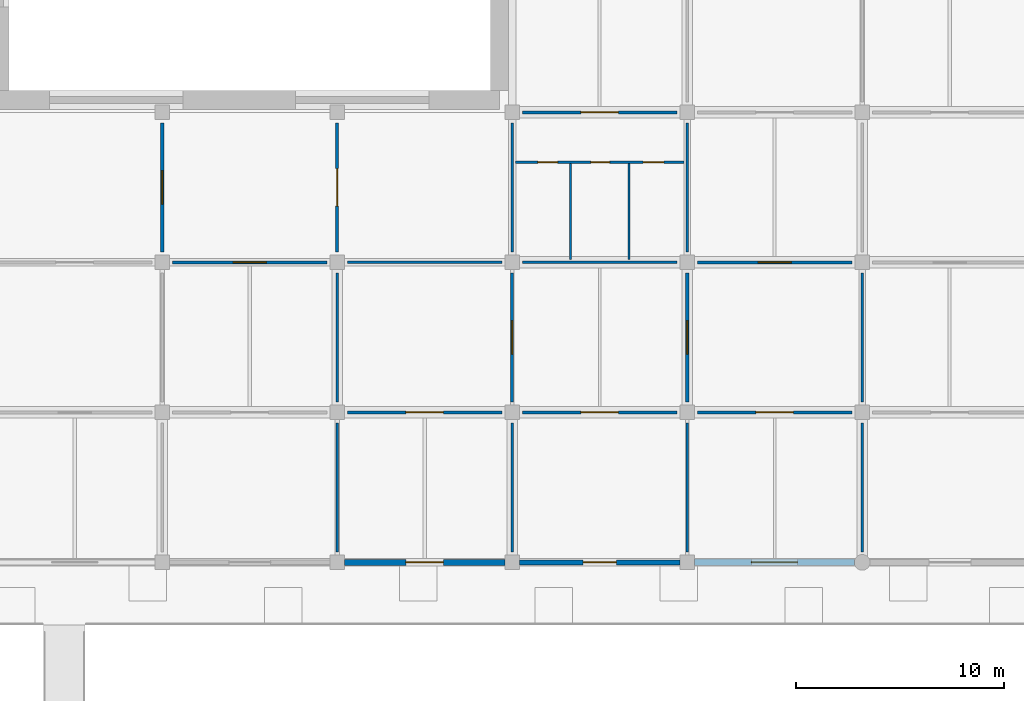
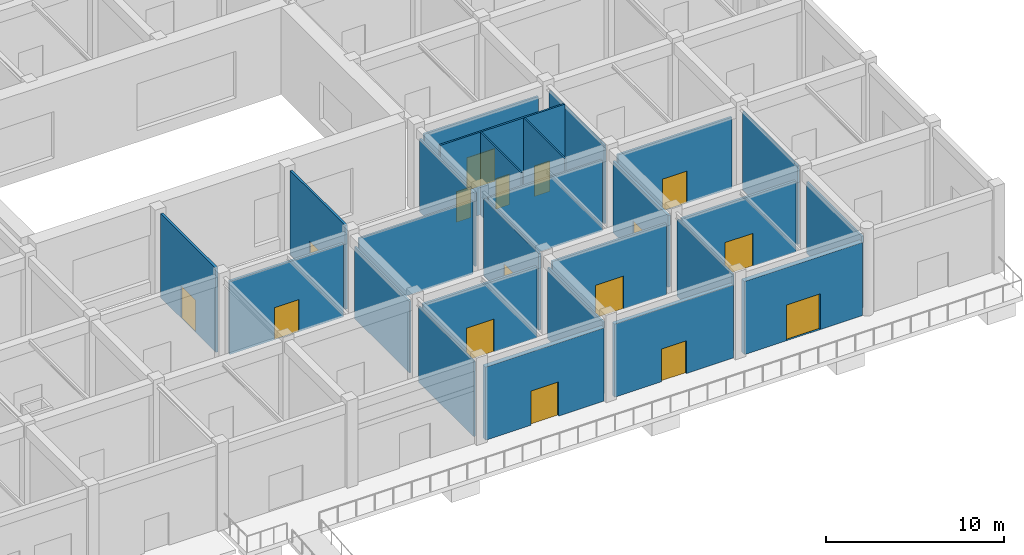
# One storey, part 13 of 39: 26 walls, 16 doors, 16 openings.
"""IFC4 building model written with IfcOpenShell, lengths in metres."""

from ifc_helpers import new_model, si_unit, derived_unit, direction, frame, frame_2d, origin, place, context, subcontext, project, spatial, rectangle, extrude, material, layer, layer_set, type_object, element, fill, save


model = new_model("IFC4")

# Units and contexts
model_context = context("Model", 3, precision=1e-05, world=origin(), true_north=direction((0.0, 1.0)))
body_context = subcontext(model_context, "Body", "Model", "MODEL_VIEW")
ifc_project = project(units=[si_unit("LENGTHUNIT", "METRE"), si_unit("AREAUNIT", "SQUARE_METRE"), si_unit("VOLUMEUNIT", "CUBIC_METRE"), si_unit("PLANEANGLEUNIT", "RADIAN"), si_unit("MASSUNIT", "GRAM", prefix="KILO"), derived_unit("THERMALTRANSMITTANCEUNIT", [(si_unit("MASSUNIT", "GRAM", prefix="KILO"), 1), (si_unit("TIMEUNIT", "SECOND"), -3), (si_unit("THERMODYNAMICTEMPERATUREUNIT", "KELVIN"), -1)])], contexts=[model_context])

# Site, building, storey
site_placement = place(None, origin())
site = spatial("IfcSite", under=ifc_project, at=site_placement, CompositionType="ELEMENT")
building_placement = place(site_placement, origin())
building = spatial("IfcBuilding", under=site, at=building_placement, Name="Veldstrom Oceanarium and Marine Research Institute", CompositionType="ELEMENT")
storey_placement = place(building_placement, origin())
storey = spatial("IfcBuildingStorey", under=building, at=storey_placement, Name="L00", CompositionType="ELEMENT", Elevation=0.0)

# Wall, opening, door
ifc_material_1 = material(Name="Masonry Cavity Wall", Category="masonry")
ifc_layer_1 = layer(ifc_material_1, 0.31005859375)
ifc_layer_set_1 = layer_set([ifc_layer_1], Name="ARC-WAL-EW1")
wall_type_1 = type_object("IfcWallType", Name="ARC-WAL-EW1", PredefinedType="SOLIDWALL", material=ifc_layer_set_1)
wall_1_placement = place(storey_placement, frame((50.75, 0.0, 0.0), z_axis=(0.0, 0.0, 1.0), x_axis=(1.0, 0.0, 0.0)))
wall_1 = element("IfcWall", 1, at=wall_1_placement, inside=storey, type_object=wall_type_1, Name="Exterior Facade Wall EW1 L00-023", PredefinedType="SOLIDWALL", context=body_context, shape_type="SweptSolid", body=[
    extrude(rectangle(XDim=7.675048828125, YDim=0.31005859375, at=frame_2d((3.83740234375, 0.0))), origin(), (0.0, 0.0, 1.0), 5.02001953125),
])
opening_1_placement = place(wall_1_placement, frame((2.737548828125, 0.0, 0.0)))
opening_1 = element("IfcOpeningElement", 2, at=opening_1_placement, cuts=wall_1, Name="Opening D-L00-010", PredefinedType="OPENING", context=body_context, shape_type="SweptSolid", body=[
    extrude(rectangle(XDim=2.199951171875, YDim=2.449951171875, at=frame_2d((1.10009765625, 1.22509765625))), frame((0.0, 0.1650390625, 0.0), z_axis=(0.0, -1.0, 0.0), x_axis=(1.0, 0.0, 0.0)), (0.0, 0.0, 1.0), 0.330078125),
])
ifc_material_2 = material(Name="Anodised Aluminium Main Entrance Door", Category="aluminium")
door_type_1 = type_object("IfcDoorType", Name="ARC-DOR-ED6", OperationType="DOUBLE_DOOR_SINGLE_SWING", PredefinedType="DOOR", material=ifc_material_2)
door_1_placement = place(opening_1_placement, frame((2.199951171875, 0.0, 0.0), z_axis=(0.0, 0.0, 1.0), x_axis=(-1.0, 0.0, 0.0)))
door_1 = element("IfcDoor", 3, at=door_1_placement, inside=storey, type_object=door_type_1, Name="Street Entrance / Exit Door D-L00-010", OperationType="DOUBLE_DOOR_SINGLE_SWING", OverallHeight=2.449951171875, OverallWidth=2.199951171875, PredefinedType="DOOR", context=body_context, shape_type="SweptSolid", body=[
    extrude(rectangle(XDim=2.199951171875, YDim=2.449951171875, at=frame_2d((1.10009765625, 1.22509765625))), frame((0.0, 0.02490234375, 0.0), z_axis=(0.0, -1.0, 0.0), x_axis=(1.0, 0.0, 0.0)), (0.0, 0.0, 1.0), 0.050048828125),
])
fill(opening_1, door_1)

ifc_material_3 = material(Name="Masonry Cavity Wall", Category="masonry")
ifc_layer_2 = layer(ifc_material_3, 0.2900390625)
ifc_layer_set_2 = layer_set([ifc_layer_2], Name="ARC-WAL-EW2")
wall_type_2 = type_object("IfcWallType", Name="ARC-WAL-EW2", PredefinedType="SOLIDWALL", material=ifc_layer_set_2)
wall_2_placement = place(storey_placement, frame((33.949951171875, 0.0, 0.0), z_axis=(0.0, 0.0, 1.0), x_axis=(1.0, 0.0, 0.0)))
wall_2 = element("IfcWall", 4, at=wall_2_placement, inside=storey, type_object=wall_type_2, Name="Exterior Facade Wall EW2 L00-019", PredefinedType="SOLIDWALL", context=body_context, shape_type="SweptSolid", body=[
    extrude(rectangle(XDim=7.699951171875, YDim=0.2900390625, at=frame_2d((3.85009765625, 0.0))), origin(), (0.0, 0.0, 1.0), 5.02001953125),
])
opening_2_placement = place(wall_2_placement, frame((2.949951171875, 0.0, 0.0)))
opening_2 = element("IfcOpeningElement", 5, at=opening_2_placement, cuts=wall_2, Name="Opening D-L00-008", PredefinedType="OPENING", context=body_context, shape_type="SweptSolid", body=[
    extrude(rectangle(XDim=1.800048828125, YDim=2.35009765625, at=frame_2d((0.89990234375, 1.175048828125))), frame((0.0, 0.155029296875, 0.0), z_axis=(0.0, -1.0, 0.0), x_axis=(1.0, 0.0, 0.0)), (0.0, 0.0, 1.0), 0.31005859375),
])
ifc_material_4 = material(Name="Anodised Aluminium Glazed Door", Category="aluminium")
door_type_2 = type_object("IfcDoorType", Name="ARC-DOR-ED2", OperationType="DOUBLE_DOOR_SINGLE_SWING", PredefinedType="DOOR", material=ifc_material_4)
door_2_placement = place(opening_2_placement, frame((1.800048828125, 0.0, 0.0), z_axis=(0.0, 0.0, 1.0), x_axis=(-1.0, 0.0, 0.0)))
door_2 = element("IfcDoor", 6, at=door_2_placement, inside=storey, type_object=door_type_2, Name="Street Entrance / Exit Door D-L00-008", OperationType="DOUBLE_DOOR_SINGLE_SWING", OverallHeight=2.35009765625, OverallWidth=1.800048828125, PredefinedType="DOOR", context=body_context, shape_type="SweptSolid", body=[
    extrude(rectangle(XDim=1.800048828125, YDim=2.35009765625, at=frame_2d((0.89990234375, 1.175048828125))), frame((0.0, 0.02490234375, 0.0), z_axis=(0.0, -1.0, 0.0), x_axis=(1.0, 0.0, 0.0)), (0.0, 0.0, 1.0), 0.050048828125),
])
fill(opening_2, door_2)

ifc_material_5 = material(Name="Masonry Cavity Wall", Category="masonry")
ifc_layer_3 = layer(ifc_material_5, 0.25)
ifc_layer_set_3 = layer_set([ifc_layer_3], Name="ARC-WAL-EW5")
wall_type_3 = type_object("IfcWallType", Name="ARC-WAL-EW5", PredefinedType="SOLIDWALL", material=ifc_layer_set_3)
wall_3_placement = place(storey_placement, frame((42.35009765625, 0.0, 0.0), z_axis=(0.0, 0.0, 1.0), x_axis=(1.0, 0.0, 0.0)))
wall_3 = element("IfcWall", 7, at=wall_3_placement, inside=storey, type_object=wall_type_3, Name="Exterior Facade Wall EW5 L00-021", PredefinedType="SOLIDWALL", context=body_context, shape_type="SweptSolid", body=[
    extrude(rectangle(XDim=7.699951171875, YDim=0.25, at=frame_2d((3.85009765625, 0.0))), origin(), (0.0, 0.0, 1.0), 5.02001953125),
])
opening_3_placement = place(wall_3_placement, frame((3.050048828125, 0.0, 0.0)))
opening_3 = element("IfcOpeningElement", 8, at=opening_3_placement, cuts=wall_3, Name="Opening D-L00-009", PredefinedType="OPENING", context=body_context, shape_type="SweptSolid", body=[
    extrude(rectangle(XDim=1.60009765625, YDim=2.25, at=frame_2d((0.800048828125, 1.125))), frame((0.0, 0.135009765625, 0.0), z_axis=(0.0, -1.0, 0.0), x_axis=(1.0, 0.0, 0.0)), (0.0, 0.0, 1.0), 0.27001953125),
])
ifc_material_6 = material(Name="Painted Galvanised Steel Door", Category="steel")
door_type_3 = type_object("IfcDoorType", Name="ARC-DOR-ED3", OperationType="DOUBLE_DOOR_SINGLE_SWING", PredefinedType="DOOR", material=ifc_material_6)
door_3_placement = place(opening_3_placement, frame((1.60009765625, 0.0, 0.0), z_axis=(0.0, 0.0, 1.0), x_axis=(-1.0, 0.0, 0.0)))
door_3 = element("IfcDoor", 9, at=door_3_placement, inside=storey, type_object=door_type_3, Name="Street Entrance / Exit Door D-L00-009", OperationType="DOUBLE_DOOR_SINGLE_SWING", OverallHeight=2.25, OverallWidth=1.60009765625, PredefinedType="DOOR", context=body_context, shape_type="SweptSolid", body=[
    extrude(rectangle(XDim=1.60009765625, YDim=2.25, at=frame_2d((0.800048828125, 1.125))), frame((0.0, 0.02490234375, 0.0), z_axis=(0.0, -1.0, 0.0), x_axis=(1.0, 0.0, 0.0)), (0.0, 0.0, 1.0), 0.050048828125),
])
fill(opening_3, door_3)

ifc_material_7 = material(Name="Drywall Corridor Partition", Category="gypsum")
ifc_layer_4 = layer(ifc_material_7, 0.155029296875)
ifc_layer_set_4 = layer_set([ifc_layer_4], Name="ARC-WAL-PT4")
wall_type_4 = type_object("IfcWallType", Name="ARC-WAL-PT4", PredefinedType="PARTITIONING", material=ifc_layer_set_4)
wall_4_placement = place(storey_placement, frame((25.199951171875, 14.89990234375, 0.0), z_axis=(0.0, 0.0, 1.0), x_axis=(0.0, 1.0, 0.0)))
wall_4 = element("IfcWall", 10, at=wall_4_placement, inside=storey, type_object=wall_type_4, Name="Interior Partition PT4 L00-0611", PredefinedType="PARTITIONING", context=body_context, shape_type="SweptSolid", body=[
    extrude(rectangle(XDim=6.2001953125, YDim=0.155029296875, at=frame_2d((3.10009765625, 0.0))), origin(), (0.0, 0.0, 1.0), 5.77490234375),
])
opening_4_placement = place(wall_4_placement, frame((2.300048828125, 0.0, 0.0)))
opening_4 = element("IfcOpeningElement", 11, at=opening_4_placement, cuts=wall_4, Name="Opening D-L00-357", PredefinedType="OPENING", context=body_context, shape_type="SweptSolid", body=[
    extrude(rectangle(XDim=1.60009765625, YDim=2.199951171875, at=frame_2d((0.800048828125, 1.10009765625))), frame((0.0, 0.08740234375, 0.0), z_axis=(0.0, -1.0, 0.0), x_axis=(1.0, 0.0, 0.0)), (0.0, 0.0, 1.0), 0.175048828125),
])
ifc_material_8 = material(Name="Acoustic Timber Corridor Door", Category="wood")
door_type_4 = type_object("IfcDoorType", Name="ARC-DOR-ID02", OperationType="DOUBLE_DOOR_SINGLE_SWING", PredefinedType="DOOR", material=ifc_material_8)
door_4_placement = place(opening_4_placement, frame((1.60009765625, 0.0, 0.0), z_axis=(0.0, 0.0, 1.0), x_axis=(-1.0, 0.0, 0.0)))
door_4 = element("IfcDoor", 12, at=door_4_placement, inside=storey, type_object=door_type_4, Name="Interior Door D-L00-357", OperationType="DOUBLE_DOOR_SINGLE_SWING", OverallHeight=2.199951171875, OverallWidth=1.60009765625, PredefinedType="DOOR", context=body_context, shape_type="SweptSolid", body=[
    extrude(rectangle(XDim=1.60009765625, YDim=2.199951171875, at=frame_2d((0.800048828125, 1.10009765625))), frame((0.0, 0.02490234375, 0.0), z_axis=(0.0, -1.0, 0.0), x_axis=(1.0, 0.0, 0.0)), (0.0, 0.0, 1.0), 0.050048828125),
])
fill(opening_4, door_4)

wall_5_placement = place(storey_placement, frame((25.699951171875, 14.39990234375, 0.0), z_axis=(0.0, 0.0, 1.0), x_axis=(1.0, 0.0, 0.0)))
wall_5 = element("IfcWall", 13, at=wall_5_placement, inside=storey, type_object=wall_type_4, Name="Interior Partition PT4 L00-0622", PredefinedType="PARTITIONING", context=body_context, shape_type="SweptSolid", body=[
    extrude(rectangle(XDim=7.400146484375, YDim=0.155029296875, at=frame_2d((3.7001953125, 0.0))), origin(), (0.0, 0.0, 1.0), 5.02001953125),
])
opening_5_placement = place(wall_5_placement, frame((2.89990234375, 0.0, 0.0)))
opening_5 = element("IfcOpeningElement", 14, at=opening_5_placement, cuts=wall_5, Name="Opening D-L00-363", PredefinedType="OPENING", context=body_context, shape_type="SweptSolid", body=[
    extrude(rectangle(XDim=1.60009765625, YDim=2.199951171875, at=frame_2d((0.800048828125, 1.10009765625))), frame((0.0, 0.08740234375, 0.0), z_axis=(0.0, -1.0, 0.0), x_axis=(1.0, 0.0, 0.0)), (0.0, 0.0, 1.0), 0.175048828125),
])
door_5_placement = place(opening_5_placement, frame((1.60009765625, 0.0, 0.0), z_axis=(0.0, 0.0, 1.0), x_axis=(-1.0, 0.0, 0.0)))
door_5 = element("IfcDoor", 15, at=door_5_placement, inside=storey, type_object=door_type_4, Name="Interior Door D-L00-363", OperationType="DOUBLE_DOOR_SINGLE_SWING", OverallHeight=2.199951171875, OverallWidth=1.60009765625, PredefinedType="DOOR", context=body_context, shape_type="SweptSolid", body=[
    extrude(rectangle(XDim=1.60009765625, YDim=2.199951171875, at=frame_2d((0.800048828125, 1.10009765625))), frame((0.0, 0.02490234375, 0.0), z_axis=(0.0, -1.0, 0.0), x_axis=(1.0, 0.0, 0.0)), (0.0, 0.0, 1.0), 0.050048828125),
])
fill(opening_5, door_5)

wall_6_placement = place(storey_placement, frame((34.10009765625, 7.199951171875, 0.0), z_axis=(0.0, 0.0, 1.0), x_axis=(1.0, 0.0, 0.0)))
wall_6 = element("IfcWall", 16, at=wall_6_placement, inside=storey, type_object=wall_type_4, Name="Interior Partition PT4 L00-0634", PredefinedType="PARTITIONING", context=body_context, shape_type="SweptSolid", body=[
    extrude(rectangle(XDim=7.39990234375, YDim=0.155029296875, at=frame_2d((3.699951171875, 0.0))), origin(), (0.0, 0.0, 1.0), 4.8701171875),
])
opening_6_placement = place(wall_6_placement, frame((2.800048828125, 0.0, 0.0)))
opening_6 = element("IfcOpeningElement", 17, at=opening_6_placement, cuts=wall_6, Name="Opening D-L00-370", PredefinedType="OPENING", context=body_context, shape_type="SweptSolid", body=[
    extrude(rectangle(XDim=1.800048828125, YDim=2.25, at=frame_2d((0.89990234375, 1.125))), frame((0.0, 0.08740234375, 0.0), z_axis=(0.0, -1.0, 0.0), x_axis=(1.0, 0.0, 0.0)), (0.0, 0.0, 1.0), 0.175048828125),
])
ifc_material_9 = material(Name="Acoustic Timber Gallery Door", Category="wood")
door_type_5 = type_object("IfcDoorType", Name="ARC-DOR-ID01", OperationType="DOUBLE_DOOR_SINGLE_SWING", PredefinedType="DOOR", material=ifc_material_9)
door_6_placement = place(opening_6_placement, frame((1.800048828125, 0.0, 0.0), z_axis=(0.0, 0.0, 1.0), x_axis=(-1.0, 0.0, 0.0)))
door_6 = element("IfcDoor", 18, at=door_6_placement, inside=storey, type_object=door_type_5, Name="Interior Door D-L00-370", OperationType="DOUBLE_DOOR_SINGLE_SWING", OverallHeight=2.25, OverallWidth=1.800048828125, PredefinedType="DOOR", context=body_context, shape_type="SweptSolid", body=[
    extrude(rectangle(XDim=1.800048828125, YDim=2.25, at=frame_2d((0.89990234375, 1.125))), frame((0.0, 0.02490234375, 0.0), z_axis=(0.0, -1.0, 0.0), x_axis=(1.0, 0.0, 0.0)), (0.0, 0.0, 1.0), 0.050048828125),
])
fill(opening_6, door_6)

wall_7_placement = place(storey_placement, frame((50.39990234375, 7.699951171875, 0.0), z_axis=(0.0, 0.0, 1.0), x_axis=(0.0, 1.0, 0.0)))
wall_7 = element("IfcWall", 19, at=wall_7_placement, inside=storey, type_object=wall_type_4, Name="Interior Partition PT4 L00-0649", PredefinedType="PARTITIONING", context=body_context, shape_type="SweptSolid", body=[
    extrude(rectangle(XDim=6.199951171875, YDim=0.155029296875, at=frame_2d((3.10009765625, 0.0))), origin(), (0.0, 0.0, 1.0), 4.919921875),
])
opening_7_placement = place(wall_7_placement, frame((2.300048828125, 0.0, 0.0)))
opening_7 = element("IfcOpeningElement", 20, at=opening_7_placement, cuts=wall_7, Name="Opening D-L00-377", PredefinedType="OPENING", context=body_context, shape_type="SweptSolid", body=[
    extrude(rectangle(XDim=1.60009765625, YDim=2.199951171875, at=frame_2d((0.800048828125, 1.10009765625))), frame((0.0, 0.08740234375, 0.0), z_axis=(0.0, -1.0, 0.0), x_axis=(1.0, 0.0, 0.0)), (0.0, 0.0, 1.0), 0.175048828125),
])
door_7_placement = place(opening_7_placement, frame((1.60009765625, 0.0, 0.0), z_axis=(0.0, 0.0, 1.0), x_axis=(-1.0, 0.0, 0.0)))
door_7 = element("IfcDoor", 21, at=door_7_placement, inside=storey, type_object=door_type_4, Name="Interior Door D-L00-377", OperationType="DOUBLE_DOOR_SINGLE_SWING", OverallHeight=2.199951171875, OverallWidth=1.60009765625, PredefinedType="DOOR", context=body_context, shape_type="SweptSolid", body=[
    extrude(rectangle(XDim=1.60009765625, YDim=2.199951171875, at=frame_2d((0.800048828125, 1.10009765625))), frame((0.0, 0.02490234375, 0.0), z_axis=(0.0, -1.0, 0.0), x_axis=(1.0, 0.0, 0.0)), (0.0, 0.0, 1.0), 0.050048828125),
])
fill(opening_7, door_7)

wall_8_placement = place(storey_placement, frame((50.89990234375, 7.199951171875, 0.0), z_axis=(0.0, 0.0, 1.0), x_axis=(1.0, 0.0, 0.0)))
wall_8 = element("IfcWall", 22, at=wall_8_placement, inside=storey, type_object=wall_type_4, Name="Interior Partition PT4 L00-0667", PredefinedType="PARTITIONING", context=body_context, shape_type="SweptSolid", body=[
    extrude(rectangle(XDim=7.400146484375, YDim=0.155029296875, at=frame_2d((3.7001953125, 0.0))), origin(), (0.0, 0.0, 1.0), 4.8701171875),
])
opening_8_placement = place(wall_8_placement, frame((2.800048828125, 0.0, 0.0)))
opening_8 = element("IfcOpeningElement", 23, at=opening_8_placement, cuts=wall_8, Name="Opening D-L00-386", PredefinedType="OPENING", context=body_context, shape_type="SweptSolid", body=[
    extrude(rectangle(XDim=1.800048828125, YDim=2.25, at=frame_2d((0.89990234375, 1.125))), frame((0.0, 0.08740234375, 0.0), z_axis=(0.0, -1.0, 0.0), x_axis=(1.0, 0.0, 0.0)), (0.0, 0.0, 1.0), 0.175048828125),
])
door_8_placement = place(opening_8_placement, frame((1.800048828125, 0.0, 0.0), z_axis=(0.0, 0.0, 1.0), x_axis=(-1.0, 0.0, 0.0)))
door_8 = element("IfcDoor", 24, at=door_8_placement, inside=storey, type_object=door_type_5, Name="Interior Door D-L00-386", OperationType="DOUBLE_DOOR_SINGLE_SWING", OverallHeight=2.25, OverallWidth=1.800048828125, PredefinedType="DOOR", context=body_context, shape_type="SweptSolid", body=[
    extrude(rectangle(XDim=1.800048828125, YDim=2.25, at=frame_2d((0.89990234375, 1.125))), frame((0.0, 0.02490234375, 0.0), z_axis=(0.0, -1.0, 0.0), x_axis=(1.0, 0.0, 0.0)), (0.0, 0.0, 1.0), 0.050048828125),
])
fill(opening_8, door_8)

ifc_material_10 = material(Name="Moisture-Resistant Wet-Area Partition", Category="masonry")
ifc_layer_5 = layer(ifc_material_10, 0.139892578125)
ifc_layer_set_5 = layer_set([ifc_layer_5], Name="ARC-WAL-PT5")
wall_type_5 = type_object("IfcWallType", Name="ARC-WAL-PT5", PredefinedType="PARTITIONING", material=ifc_layer_set_5)
wall_9_placement = place(storey_placement, frame((33.60009765625, 14.89990234375, 0.0), z_axis=(0.0, 0.0, 1.0), x_axis=(0.0, 1.0, 0.0)))
wall_9 = element("IfcWall", 25, at=wall_9_placement, inside=storey, type_object=wall_type_5, Name="Interior Partition PT5 L00-0623", PredefinedType="PARTITIONING", context=body_context, shape_type="SweptSolid", body=[
    extrude(rectangle(XDim=6.2001953125, YDim=0.139892578125, at=frame_2d((3.10009765625, 0.0))), origin(), (0.0, 0.0, 1.0), 5.77490234375),
])
opening_9_placement = place(wall_9_placement, frame((2.199951171875, 0.0, 0.0)))
opening_9 = element("IfcOpeningElement", 26, at=opening_9_placement, cuts=wall_9, Name="Opening D-L00-364", PredefinedType="OPENING", context=body_context, shape_type="SweptSolid", body=[
    extrude(rectangle(XDim=1.800048828125, YDim=2.25, at=frame_2d((0.89990234375, 1.125))), frame((0.0, 0.079833984375, 0.0), z_axis=(0.0, -1.0, 0.0), x_axis=(1.0, 0.0, 0.0)), (0.0, 0.0, 1.0), 0.159912109375),
])
door_9_placement = place(opening_9_placement, origin())
door_9 = element("IfcDoor", 27, at=door_9_placement, inside=storey, type_object=door_type_5, Name="Interior Door D-L00-364", OperationType="DOUBLE_DOOR_SINGLE_SWING", OverallHeight=2.25, OverallWidth=1.800048828125, PredefinedType="DOOR", context=body_context, shape_type="SweptSolid", body=[
    extrude(rectangle(XDim=1.800048828125, YDim=2.25, at=frame_2d((0.89990234375, 1.125))), frame((0.0, 0.02490234375, 0.0), z_axis=(0.0, -1.0, 0.0), x_axis=(1.0, 0.0, 0.0)), (0.0, 0.0, 1.0), 0.050048828125),
])
fill(opening_9, door_9)

wall_10_placement = place(storey_placement, frame((42.0, 7.699951171875, 0.0), z_axis=(0.0, 0.0, 1.0), x_axis=(0.0, 1.0, 0.0)))
wall_10 = element("IfcWall", 28, at=wall_10_placement, inside=storey, type_object=wall_type_5, Name="Interior Partition PT5 L00-0635", PredefinedType="PARTITIONING", context=body_context, shape_type="SweptSolid", body=[
    extrude(rectangle(XDim=6.199951171875, YDim=0.139892578125, at=frame_2d((3.10009765625, 0.0))), origin(), (0.0, 0.0, 1.0), 5.27001953125),
])
opening_10_placement = place(wall_10_placement, frame((2.300048828125, 0.0, 0.0)))
opening_10 = element("IfcOpeningElement", 29, at=opening_10_placement, cuts=wall_10, Name="Opening D-L00-371", PredefinedType="OPENING", context=body_context, shape_type="SweptSolid", body=[
    extrude(rectangle(XDim=1.60009765625, YDim=2.199951171875, at=frame_2d((0.800048828125, 1.10009765625))), frame((0.0, 0.079833984375, 0.0), z_axis=(0.0, -1.0, 0.0), x_axis=(1.0, 0.0, 0.0)), (0.0, 0.0, 1.0), 0.159912109375),
])
door_10_placement = place(opening_10_placement, origin())
door_10 = element("IfcDoor", 30, at=door_10_placement, inside=storey, type_object=door_type_4, Name="Interior Door D-L00-371", OperationType="DOUBLE_DOOR_SINGLE_SWING", OverallHeight=2.199951171875, OverallWidth=1.60009765625, PredefinedType="DOOR", context=body_context, shape_type="SweptSolid", body=[
    extrude(rectangle(XDim=1.60009765625, YDim=2.199951171875, at=frame_2d((0.800048828125, 1.10009765625))), frame((0.0, 0.02490234375, 0.0), z_axis=(0.0, -1.0, 0.0), x_axis=(1.0, 0.0, 0.0)), (0.0, 0.0, 1.0), 0.050048828125),
])
fill(opening_10, door_10)

wall_11_placement = place(storey_placement, frame((42.5, 7.199951171875, 0.0), z_axis=(0.0, 0.0, 1.0), x_axis=(1.0, 0.0, 0.0)))
wall_11 = element("IfcWall", 31, at=wall_11_placement, inside=storey, type_object=wall_type_5, Name="Interior Partition PT5 L00-0648", PredefinedType="PARTITIONING", context=body_context, shape_type="SweptSolid", body=[
    extrude(rectangle(XDim=7.39990234375, YDim=0.139892578125, at=frame_2d((3.699951171875, 0.0))), origin(), (0.0, 0.0, 1.0), 4.8701171875),
])
opening_11_placement = place(wall_11_placement, frame((2.800048828125, 0.0, 0.0)))
opening_11 = element("IfcOpeningElement", 32, at=opening_11_placement, cuts=wall_11, Name="Opening D-L00-376", PredefinedType="OPENING", context=body_context, shape_type="SweptSolid", body=[
    extrude(rectangle(XDim=1.800048828125, YDim=2.25, at=frame_2d((0.89990234375, 1.125))), frame((0.0, 0.079833984375, 0.0), z_axis=(0.0, -1.0, 0.0), x_axis=(1.0, 0.0, 0.0)), (0.0, 0.0, 1.0), 0.159912109375),
])
door_11_placement = place(opening_11_placement, frame((1.800048828125, 0.0, 0.0), z_axis=(0.0, 0.0, 1.0), x_axis=(-1.0, 0.0, 0.0)))
door_11 = element("IfcDoor", 33, at=door_11_placement, inside=storey, type_object=door_type_5, Name="Interior Door D-L00-376", OperationType="DOUBLE_DOOR_SINGLE_SWING", OverallHeight=2.25, OverallWidth=1.800048828125, PredefinedType="DOOR", context=body_context, shape_type="SweptSolid", body=[
    extrude(rectangle(XDim=1.800048828125, YDim=2.25, at=frame_2d((0.89990234375, 1.125))), frame((0.0, 0.02490234375, 0.0), z_axis=(0.0, -1.0, 0.0), x_axis=(1.0, 0.0, 0.0)), (0.0, 0.0, 1.0), 0.050048828125),
])
fill(opening_11, door_11)

wall_12_placement = place(storey_placement, frame((42.5, 21.60009765625, 0.0), z_axis=(0.0, 0.0, 1.0), x_axis=(1.0, 0.0, 0.0)))
wall_12 = element("IfcWall", 34, at=wall_12_placement, inside=storey, type_object=wall_type_5, Name="Interior Partition PT5 L00-0652", PredefinedType="PARTITIONING", context=body_context, shape_type="SweptSolid", body=[
    extrude(rectangle(XDim=7.39990234375, YDim=0.139892578125, at=frame_2d((3.699951171875, 0.0))), origin(), (0.0, 0.0, 1.0), 4.8701171875),
])
opening_12_placement = place(wall_12_placement, frame((2.800048828125, 0.0, 0.0)))
opening_12 = element("IfcOpeningElement", 35, at=opening_12_placement, cuts=wall_12, Name="Opening D-L00-378", PredefinedType="OPENING", context=body_context, shape_type="SweptSolid", body=[
    extrude(rectangle(XDim=1.800048828125, YDim=2.25, at=frame_2d((0.89990234375, 1.125))), frame((0.0, 0.079833984375, 0.0), z_axis=(0.0, -1.0, 0.0), x_axis=(1.0, 0.0, 0.0)), (0.0, 0.0, 1.0), 0.159912109375),
])
door_12_placement = place(opening_12_placement, frame((1.800048828125, 0.0, 0.0), z_axis=(0.0, 0.0, 1.0), x_axis=(-1.0, 0.0, 0.0)))
door_12 = element("IfcDoor", 36, at=door_12_placement, inside=storey, type_object=door_type_5, Name="Interior Door D-L00-378", OperationType="DOUBLE_DOOR_SINGLE_SWING", OverallHeight=2.25, OverallWidth=1.800048828125, PredefinedType="DOOR", context=body_context, shape_type="SweptSolid", body=[
    extrude(rectangle(XDim=1.800048828125, YDim=2.25, at=frame_2d((0.89990234375, 1.125))), frame((0.0, 0.02490234375, 0.0), z_axis=(0.0, -1.0, 0.0), x_axis=(1.0, 0.0, 0.0)), (0.0, 0.0, 1.0), 0.050048828125),
])
fill(opening_12, door_12)

wall_13_placement = place(storey_placement, frame((50.89990234375, 14.39990234375, 0.0), z_axis=(0.0, 0.0, 1.0), x_axis=(1.0, 0.0, 0.0)))
wall_13 = element("IfcWall", 37, at=wall_13_placement, inside=storey, type_object=wall_type_5, Name="Interior Partition PT5 L00-0669", PredefinedType="PARTITIONING", context=body_context, shape_type="SweptSolid", body=[
    extrude(rectangle(XDim=7.400146484375, YDim=0.139892578125, at=frame_2d((3.7001953125, 0.0))), origin(), (0.0, 0.0, 1.0), 4.8701171875),
])
opening_13_placement = place(wall_13_placement, frame((2.89990234375, 0.0, 0.0)))
opening_13 = element("IfcOpeningElement", 38, at=opening_13_placement, cuts=wall_13, Name="Opening D-L00-387", PredefinedType="OPENING", context=body_context, shape_type="SweptSolid", body=[
    extrude(rectangle(XDim=1.60009765625, YDim=2.199951171875, at=frame_2d((0.800048828125, 1.10009765625))), frame((0.0, 0.079833984375, 0.0), z_axis=(0.0, -1.0, 0.0), x_axis=(1.0, 0.0, 0.0)), (0.0, 0.0, 1.0), 0.159912109375),
])
door_13_placement = place(opening_13_placement, frame((1.60009765625, 0.0, 0.0), z_axis=(0.0, 0.0, 1.0), x_axis=(-1.0, 0.0, 0.0)))
door_13 = element("IfcDoor", 39, at=door_13_placement, inside=storey, type_object=door_type_4, Name="Interior Door D-L00-387", OperationType="DOUBLE_DOOR_SINGLE_SWING", OverallHeight=2.199951171875, OverallWidth=1.60009765625, PredefinedType="DOOR", context=body_context, shape_type="SweptSolid", body=[
    extrude(rectangle(XDim=1.60009765625, YDim=2.199951171875, at=frame_2d((0.800048828125, 1.10009765625))), frame((0.0, 0.02490234375, 0.0), z_axis=(0.0, -1.0, 0.0), x_axis=(1.0, 0.0, 0.0)), (0.0, 0.0, 1.0), 0.050048828125),
])
fill(opening_13, door_13)

# Wall, openings, doors
ifc_material_11 = material(Name="Lightweight Studio Partition", Category="gypsum")
ifc_layer_6 = layer(ifc_material_11, 0.1201171875)
ifc_layer_set_6 = layer_set([ifc_layer_6], Name="ARC-WAL-PT6")
wall_type_6 = type_object("IfcWallType", Name="ARC-WAL-PT6", PredefinedType="PARTITIONING", material=ifc_layer_set_6)
wall_14_placement = place(storey_placement, frame((42.14990234375, 19.199951171875, 0.0), z_axis=(0.0, 0.0, 1.0), x_axis=(1.0, 0.0, 0.0)))
wall_14 = element("IfcWall", 40, at=wall_14_placement, inside=storey, type_object=wall_type_6, Name="Sanitary Vestibule Partition L00-5", PredefinedType="PARTITIONING", context=body_context, shape_type="SweptSolid", body=[
    extrude(rectangle(XDim=8.10009765625, YDim=0.1201171875, at=frame_2d((4.050048828125, 0.0))), origin(), (0.0, 0.0, 1.0), 5.675048828125),
])
opening_14_placement = place(wall_14_placement, frame((1.080078125, 0.0, 0.0)))
opening_14 = element("IfcOpeningElement", 41, at=opening_14_placement, cuts=wall_14, Name="Opening D-L00-WC331", PredefinedType="OPENING", context=body_context, shape_type="SweptSolid", body=[
    extrude(rectangle(XDim=0.949951171875, YDim=2.10009765625, at=frame_2d((0.47509765625, 1.050048828125))), frame((0.0, 0.070068359375, 0.0), z_axis=(0.0, -1.0, 0.0), x_axis=(1.0, 0.0, 0.0)), (0.0, 0.0, 1.0), 0.14013671875),
])
opening_15_placement = place(wall_14_placement, frame((3.6298828125, 0.0, 0.0)))
opening_15 = element("IfcOpeningElement", 42, at=opening_15_placement, cuts=wall_14, Name="Opening D-L00-WC332", PredefinedType="OPENING", context=body_context, shape_type="SweptSolid", body=[
    extrude(rectangle(XDim=0.89990234375, YDim=2.10009765625, at=frame_2d((0.449951171875, 1.050048828125))), frame((0.0, 0.070068359375, 0.0), z_axis=(0.0, -1.0, 0.0), x_axis=(1.0, 0.0, 0.0)), (0.0, 0.0, 1.0), 0.14013671875),
])
opening_16_placement = place(wall_14_placement, frame((6.1298828125, 0.0, 0.0)))
opening_16 = element("IfcOpeningElement", 43, at=opening_16_placement, cuts=wall_14, Name="Opening D-L00-WC333", PredefinedType="OPENING", context=body_context, shape_type="SweptSolid", body=[
    extrude(rectangle(XDim=1.0, YDim=2.10009765625, at=frame_2d((0.5, 1.050048828125))), frame((0.0, 0.070068359375, 0.0), z_axis=(0.0, -1.0, 0.0), x_axis=(1.0, 0.0, 0.0)), (0.0, 0.0, 1.0), 0.14013671875),
])
ifc_material_12 = material(Name="Accessible Sanitary Door", Category="timber")
door_type_6 = type_object("IfcDoorType", Name="ARC-DOR-ID08", OperationType="SINGLE_SWING_RIGHT", PredefinedType="DOOR", material=ifc_material_12)
door_14_placement = place(opening_16_placement, frame((1.0, 0.0, 0.0), z_axis=(0.0, 0.0, 1.0), x_axis=(-1.0, 0.0, 0.0)))
door_14 = element("IfcDoor", 44, at=door_14_placement, inside=storey, type_object=door_type_6, Name="Accessible WC Door D-L00-WC333", OperationType="SINGLE_SWING_RIGHT", OverallHeight=2.10009765625, OverallWidth=1.0, PredefinedType="DOOR", context=body_context, shape_type="SweptSolid", body=[
    extrude(rectangle(XDim=1.0, YDim=2.10009765625, at=frame_2d((0.5, 1.050048828125))), frame((0.0, 0.02490234375, 0.0), z_axis=(0.0, -1.0, 0.0), x_axis=(1.0, 0.0, 0.0)), (0.0, 0.0, 1.0), 0.050048828125),
])
fill(opening_16, door_14)
ifc_material_13 = material(Name="Staff Sanitary Door", Category="timber")
door_type_7 = type_object("IfcDoorType", Name="ARC-DOR-ID09", OperationType="SINGLE_SWING_LEFT", PredefinedType="DOOR", material=ifc_material_13)
door_15_placement = place(opening_14_placement, frame((0.949951171875, 0.0, 0.0), z_axis=(0.0, 0.0, 1.0), x_axis=(-1.0, 0.0, 0.0)))
door_15 = element("IfcDoor", 45, at=door_15_placement, inside=storey, type_object=door_type_7, Name="Male WC Door D-L00-WC331", OperationType="SINGLE_SWING_RIGHT", OverallHeight=2.10009765625, OverallWidth=0.949951171875, PredefinedType="DOOR", context=body_context, shape_type="SweptSolid", body=[
    extrude(rectangle(XDim=0.949951171875, YDim=2.10009765625, at=frame_2d((0.47509765625, 1.050048828125))), frame((0.0, 0.02490234375, 0.0), z_axis=(0.0, -1.0, 0.0), x_axis=(1.0, 0.0, 0.0)), (0.0, 0.0, 1.0), 0.050048828125),
])
fill(opening_14, door_15)
ifc_material_14 = material(Name="Internal Sanitary Door", Category="timber")
door_type_8 = type_object("IfcDoorType", Name="ARC-DOR-ID10", OperationType="SINGLE_SWING_RIGHT", PredefinedType="DOOR", material=ifc_material_14)
door_16_placement = place(opening_15_placement, frame((0.89990234375, 0.0, 0.0), z_axis=(0.0, 0.0, 1.0), x_axis=(-1.0, 0.0, 0.0)))
door_16 = element("IfcDoor", 46, at=door_16_placement, inside=storey, type_object=door_type_8, Name="Female WC Door D-L00-WC332", OperationType="SINGLE_SWING_LEFT", OverallHeight=2.10009765625, OverallWidth=0.89990234375, PredefinedType="DOOR", context=body_context, shape_type="SweptSolid", body=[
    extrude(rectangle(XDim=0.89990234375, YDim=2.10009765625, at=frame_2d((0.449951171875, 1.050048828125))), frame((0.0, 0.02490234375, 0.0), z_axis=(0.0, -1.0, 0.0), x_axis=(1.0, 0.0, 0.0)), (0.0, 0.0, 1.0), 0.050048828125),
])
fill(opening_15, door_16)

# Walls
wall_15_placement = place(storey_placement, frame((33.60009765625, 0.5, 0.0), z_axis=(0.0, 0.0, 1.0), x_axis=(0.0, 1.0, 0.0)))
element("IfcWall", 47, at=wall_15_placement, inside=storey, type_object=wall_type_6, Name="Interior Partition PT6 L00-0619", PredefinedType="PARTITIONING", context=body_context, shape_type="SweptSolid", body=[
    extrude(rectangle(XDim=6.199951171875, YDim=0.1201171875, at=frame_2d((3.10009765625, 0.0))), origin(), (0.0, 0.0, 1.0), 5.169921875),
])
for number, where, z_axis, x_axis, name in (
    (48, (33.60009765625, 7.699951171875, 0.0), (0.0, 0.0, 1.0), (0.0, 1.0, 0.0), "Interior Partition PT6 L00-0621"),
    (49, (42.0, 0.5, 0.0), (0.0, 0.0, 1.0), (0.0, 1.0, 0.0), "Interior Partition PT6 L00-0633"),
):
    element("IfcWall", number, at=place(storey_placement, frame(where, z_axis=z_axis, x_axis=x_axis)), inside=storey, type_object=wall_type_6, Name=name, PredefinedType="PARTITIONING", context=body_context, shape_type="SweptSolid", body=[
        extrude(rectangle(XDim=6.199951171875, YDim=0.1201171875, at=frame_2d((3.10009765625, 0.0))), origin(), (0.0, 0.0, 1.0), 4.919921875),
    ])
wall_16_placement = place(storey_placement, frame((34.10009765625, 14.39990234375, 0.0), z_axis=(0.0, 0.0, 1.0), x_axis=(1.0, 0.0, 0.0)))
element("IfcWall", 50, at=wall_16_placement, inside=storey, type_object=wall_type_6, Name="Interior Partition PT6 L00-0636", PredefinedType="PARTITIONING", context=body_context, shape_type="SweptSolid", body=[
    extrude(rectangle(XDim=7.39990234375, YDim=0.1201171875, at=frame_2d((3.699951171875, 0.0))), origin(), (0.0, 0.0, 1.0), 5.02001953125),
])
wall_17_placement = place(storey_placement, frame((42.0, 14.89990234375, 0.0), z_axis=(0.0, 0.0, 1.0), x_axis=(0.0, 1.0, 0.0)))
element("IfcWall", 51, at=wall_17_placement, inside=storey, type_object=wall_type_6, Name="Interior Partition PT6 L00-0637", PredefinedType="PARTITIONING", context=body_context, shape_type="SweptSolid", body=[
    extrude(rectangle(XDim=6.2001953125, YDim=0.1201171875, at=frame_2d((3.10009765625, 0.0))), origin(), (0.0, 0.0, 1.0), 5.02001953125),
])
wall_18_placement = place(storey_placement, frame((50.39990234375, 0.5, 0.0), z_axis=(0.0, 0.0, 1.0), x_axis=(0.0, 1.0, 0.0)))
element("IfcWall", 52, at=wall_18_placement, inside=storey, type_object=wall_type_6, Name="Interior Partition PT6 L00-0647", PredefinedType="PARTITIONING", context=body_context, shape_type="SweptSolid", body=[
    extrude(rectangle(XDim=6.199951171875, YDim=0.1201171875, at=frame_2d((3.10009765625, 0.0))), origin(), (0.0, 0.0, 1.0), 5.27001953125),
])
wall_19_placement = place(storey_placement, frame((42.5, 14.39990234375, 0.0), z_axis=(0.0, 0.0, 1.0), x_axis=(1.0, 0.0, 0.0)))
element("IfcWall", 53, at=wall_19_placement, inside=storey, type_object=wall_type_6, Name="Interior Partition PT6 L00-0650", PredefinedType="PARTITIONING", context=body_context, shape_type="SweptSolid", body=[
    extrude(rectangle(XDim=7.39990234375, YDim=0.1201171875, at=frame_2d((3.699951171875, 0.0))), origin(), (0.0, 0.0, 1.0), 4.8701171875),
])
wall_20_placement = place(storey_placement, frame((50.39990234375, 14.89990234375, 0.0), z_axis=(0.0, 0.0, 1.0), x_axis=(0.0, 1.0, 0.0)))
element("IfcWall", 54, at=wall_20_placement, inside=storey, type_object=wall_type_6, Name="Interior Partition PT6 L00-0651", PredefinedType="PARTITIONING", context=body_context, shape_type="SweptSolid", body=[
    extrude(rectangle(XDim=6.2001953125, YDim=0.1201171875, at=frame_2d((3.10009765625, 0.0))), origin(), (0.0, 0.0, 1.0), 5.3798828125),
])
wall_21_placement = place(storey_placement, frame((58.800048828125, 0.5, 0.0), z_axis=(0.0, 0.0, 1.0), x_axis=(0.0, 1.0, 0.0)))
element("IfcWall", 55, at=wall_21_placement, inside=storey, type_object=wall_type_6, Name="Interior Partition PT6 L00-0666", PredefinedType="PARTITIONING", context=body_context, shape_type="SweptSolid", body=[
    extrude(rectangle(XDim=6.199951171875, YDim=0.1201171875, at=frame_2d((3.10009765625, 0.0))), origin(), (0.0, 0.0, 1.0), 4.919921875),
])
wall_22_placement = place(storey_placement, frame((58.800048828125, 7.699951171875, 0.0), z_axis=(0.0, 0.0, 1.0), x_axis=(0.0, 1.0, 0.0)))
element("IfcWall", 56, at=wall_22_placement, inside=storey, type_object=wall_type_6, Name="Interior Partition PT6 L00-0668", PredefinedType="PARTITIONING", context=body_context, shape_type="SweptSolid", body=[
    extrude(rectangle(XDim=6.199951171875, YDim=0.1201171875, at=frame_2d((3.10009765625, 0.0))), origin(), (0.0, 0.0, 1.0), 5.3798828125),
])
ifc_material_15 = material(Name="Sanitary Cubicle Partition", Category="gypsum")
ifc_layer_7 = layer(ifc_material_15, 0.10009765625)
ifc_layer_set_7 = layer_set([ifc_layer_7], Name="ARC-WAL-PT7")
wall_type_7 = type_object("IfcWallType", Name="ARC-WAL-PT7", PredefinedType="PARTITIONING", material=ifc_layer_set_7)
for number, where, z_axis, x_axis, name in (
    (57, (44.800048828125, 14.550048828125, 0.0), (0.0, 0.0, 1.0), (0.0, 1.0, 0.0), "Sanitary Stall Divider Wall L00-0569"),
    (58, (47.60009765625, 14.550048828125, 0.0), (0.0, 0.0, 1.0), (0.0, 1.0, 0.0), "Sanitary Stall Divider Wall L00-0570"),
):
    element("IfcWall", number, at=place(storey_placement, frame(where, z_axis=z_axis, x_axis=x_axis)), inside=storey, type_object=wall_type_7, Name=name, PredefinedType="PARTITIONING", context=body_context, shape_type="SweptSolid", body=[
        extrude(rectangle(XDim=4.58984375, YDim=0.10009765625, at=frame_2d((2.294921875, 0.0))), origin(), (0.0, 0.0, 1.0), 5.675048828125),
    ])

save(model, "model.ifc")
